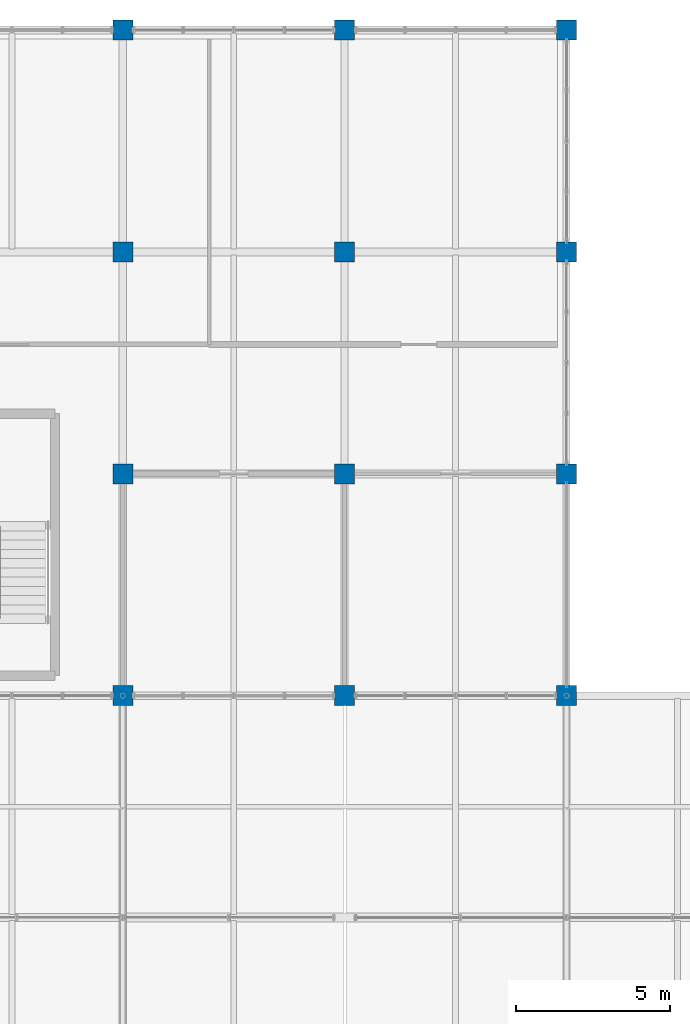
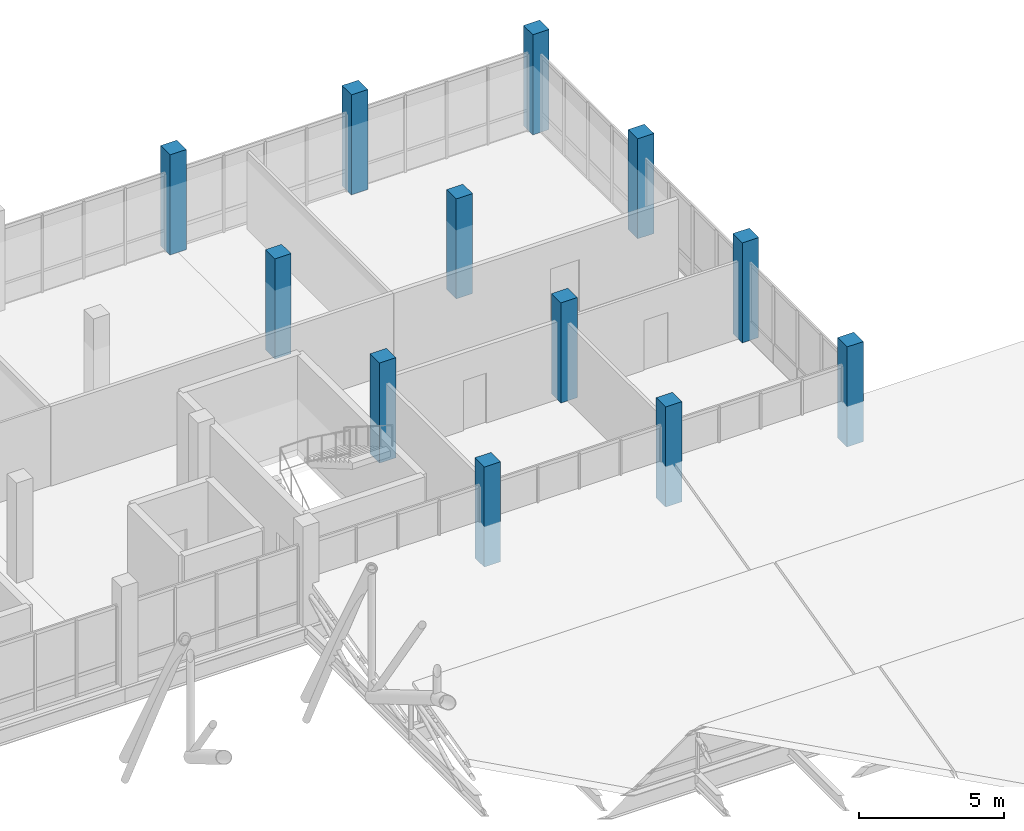
# One storey, part 9 of 144: 12 columns.
"""IFC4 building model written with IfcOpenShell, lengths in metres."""

import ifcopenshell
import ifcopenshell.guid

model = None  # the IFC model being written
_history = None  # IfcOwnerHistory: only IFC2X3 demands one
_inside = {}  # id of a spatial element -> (the spatial element, [elements in it])
_under = {}  # id of a project, library or spatial element -> (it, [spatial elements below it])
_declared = {}  # id of a project -> (the project, [libraries it declares])
_typed = {}  # id of a type object -> (the type object, [elements of that type])
_made_of = {}  # id of a material, layer set ... -> (it, [elements and type objects made of it])


def new_model(schema):
    """Start an empty IFC model of exactly this schema.

    Asked for "IFC4X3", IfcOpenShell would pick the latest addendum, in which some entities
    have other attributes; the version numbers below select the first issue.
    IFC2X3 requires an IfcOwnerHistory on every rooted entity: one is made here for all.
    """
    global model, _history
    if schema == "IFC4X3":
        model = ifcopenshell.file(schema_version=(4, 3, 0, 0))
    else:
        model = ifcopenshell.file(schema=schema)
    _inside.clear()
    _under.clear()
    _declared.clear()
    _typed.clear()
    _made_of.clear()
    _history = None
    if model.schema == "IFC2X3":
        org = make("IfcOrganization", Name="unknown")
        user = make(
            "IfcPersonAndOrganization",
            ThePerson=make("IfcPerson", FamilyName="unknown"),
            TheOrganization=org,
        )
        app = make(
            "IfcApplication",
            ApplicationDeveloper=org,
            Version="unknown",
            ApplicationFullName="unknown",
            ApplicationIdentifier="unknown",
        )
        _history = make(
            "IfcOwnerHistory",
            OwningUser=user,
            OwningApplication=app,
            ChangeAction="ADDED",
            CreationDate=0,
        )
    return model


def make(cls, **values):
    """One entity of the class cls with the attributes given. An attribute that is None is left unset."""
    return model.create_entity(
        cls, **{name: value for name, value in values.items() if value is not None}
    )


def rooted(cls, **values):
    """An entity with a GlobalId (a new one), such as an element, a storey or a relation."""
    return make(cls, GlobalId=ifcopenshell.guid.new(), OwnerHistory=_history, **values)


def si_unit(unit_type, name, prefix=None):
    """IfcSIUnit, for example si_unit("LENGTHUNIT", "METRE", prefix="MILLI")."""
    return make("IfcSIUnit", UnitType=unit_type, Prefix=prefix, Name=name)


def assignment(units):
    """IfcUnitAssignment: the units of a project."""
    return None if units is None else make("IfcUnitAssignment", Units=units)


def point(xyz):
    """IfcCartesianPoint."""
    return None if xyz is None else make("IfcCartesianPoint", Coordinates=xyz)


def direction(xyz):
    """IfcDirection."""
    return None if xyz is None else make("IfcDirection", DirectionRatios=xyz)


def frame(location, z_axis=None, x_axis=None):
    """IfcAxis2Placement3D, a coordinate frame: its origin and axes. An axis left out is left unset."""
    return make(
        "IfcAxis2Placement3D",
        Location=point(location),
        Axis=direction(z_axis),
        RefDirection=direction(x_axis),
    )


def frame_2d(location, x_axis=None):
    """IfcAxis2Placement2D, a coordinate frame in the plane: its origin and x axis."""
    return make(
        "IfcAxis2Placement2D", Location=point(location), RefDirection=direction(x_axis)
    )


def origin():
    """The frame at (0, 0, 0) with its axes left unset."""
    return frame((0.0, 0.0, 0.0))


def origin_2d():
    """The frame at (0, 0) in the plane with its x axis left unset."""
    return frame_2d((0.0, 0.0))


def place(relative_to, where):
    """IfcLocalPlacement: puts the frame where relative to a parent placement (None: the world)."""
    return make(
        "IfcLocalPlacement", PlacementRelTo=relative_to, RelativePlacement=where
    )


def context(
    kind, dimensions, precision=None, world=None, true_north=None, identifier=None
):
    """IfcGeometricRepresentationContext, for example the 3D "Model" context."""
    return make(
        "IfcGeometricRepresentationContext",
        ContextIdentifier=identifier,
        ContextType=kind,
        CoordinateSpaceDimension=dimensions,
        Precision=precision,
        WorldCoordinateSystem=world,
        TrueNorth=true_north,
    )


def subcontext(parent, identifier, kind, view, scale=None):
    """IfcGeometricRepresentationSubContext, for example "Body" below "Model"."""
    return make(
        "IfcGeometricRepresentationSubContext",
        ContextIdentifier=identifier,
        ContextType=kind,
        ParentContext=parent,
        TargetScale=scale,
        TargetView=view,
    )


def project(units=None, contexts=None):
    """IfcProject with its units and contexts."""
    return rooted(
        "IfcProject",
        Name="project",
        RepresentationContexts=contexts,
        UnitsInContext=assignment(units),
    )


def spatial(cls, under=None, at=None, **own):
    """A site, building, storey or space (cls), placed at a placement, below another one or the project."""
    s = rooted(cls, ObjectPlacement=at, **own)
    if under is not None:
        _under.setdefault(under.id(), (under, []))[1].append(s)
    return s


def profile(cls, at=None, kind="AREA", **sizes):
    """A parametric profile (cls). Its sizes go by their IFC names, for example OverallWidth=200.0."""
    return make(cls, ProfileType=kind, Position=at, **sizes)


def rectangle(**sizes):
    """IfcRectangleProfileDef."""
    return profile("IfcRectangleProfileDef", **sizes)


def extrude(swept, where, along, depth):
    """IfcExtrudedAreaSolid: the profile swept, set in the frame where, extruded along a direction by depth."""
    return make(
        "IfcExtrudedAreaSolid",
        SweptArea=swept,
        Position=where,
        ExtrudedDirection=direction(along),
        Depth=depth,
    )


def shape(context_of_items, identifier, shape_type, items):
    """IfcShapeRepresentation: the items that make up one representation, for example the "Body"."""
    return make(
        "IfcShapeRepresentation",
        ContextOfItems=context_of_items,
        RepresentationIdentifier=identifier,
        RepresentationType=shape_type,
        Items=items,
    )


def material(Name=None, Category=None):
    """IfcMaterial."""
    return make("IfcMaterial", Name=Name, Category=Category)


def material_profile(
    of_material, cross_section, Name=None, Category=None, Priority=None
):
    """IfcMaterialProfile: a cross section and its material."""
    return make(
        "IfcMaterialProfile",
        Name=Name,
        Material=of_material,
        Profile=cross_section,
        Priority=Priority,
        Category=Category,
    )


def profile_set(profiles, Name=None, composite=None):
    """IfcMaterialProfileSet."""
    return make(
        "IfcMaterialProfileSet",
        Name=Name,
        MaterialProfiles=profiles,
        CompositeProfile=composite,
    )


def made_of(thing, what):
    """Note that an element or type object is made of a material, layer set ...; save() writes the relation."""
    if what is not None:
        _made_of.setdefault(what.id(), (what, []))[1].append(thing)
    return thing


def type_object(cls, material=None, **own):
    """A type object (cls), such as IfcWallType, which elements share."""
    return made_of(rooted(cls, **own), material)


def element(
    cls,
    number,
    at=None,
    inside=None,
    cuts=None,
    type_object=None,
    material=None,
    context=None,
    identifier="Body",
    shape_type=None,
    held_by="IfcProductDefinitionShape",
    body=None,
    shapes=None,
    **own,
):
    """One element of the class cls, such as IfcWall. Its Tag is "e" and its number.

    at: its placement. inside: the storey or other place that contains it. cuts: it is an
    opening in that element (IfcRelVoidsElement). A single representation is given by context,
    identifier, shape_type and body (its items); several are given by shapes. held_by: the class
    of the entity that holds the representations. save() writes the other relations.
    """
    e = rooted(cls, Tag="e%d" % number, ObjectPlacement=at, **own)
    if body is not None:
        shapes = [shape(context, identifier, shape_type, body)]
    if shapes is not None:
        e.Representation = make(held_by, Representations=shapes)
    if inside is not None:
        _inside.setdefault(inside.id(), (inside, []))[1].append(e)
    if cuts is not None:
        rooted(
            "IfcRelVoidsElement", RelatingBuildingElement=cuts, RelatedOpeningElement=e
        )
    if type_object is not None:
        _typed.setdefault(type_object.id(), (type_object, []))[1].append(e)
    return made_of(e, material)


def aggregate(whole, parts):
    """IfcRelAggregates: a whole, such as a stair, and the parts it consists of."""
    return rooted("IfcRelAggregates", RelatingObject=whole, RelatedObjects=parts)


def save(model, path):
    """Write the relations noted so far, then the file.

    IfcRelAggregates (storeys below a building ...), IfcRelContainedInSpatialStructure (elements
    in a storey), IfcRelDefinesByType, IfcRelAssociatesMaterial and IfcRelDeclares: one each for
    every whole, place, type object, material and project.
    """
    for whole, parts in _under.values():
        aggregate(whole, parts)
    for where, things in _inside.values():
        rooted(
            "IfcRelContainedInSpatialStructure",
            RelatedElements=things,
            RelatingStructure=where,
        )
    for kind, things in _typed.values():
        rooted("IfcRelDefinesByType", RelatedObjects=things, RelatingType=kind)
    for what, things in _made_of.values():
        rooted("IfcRelAssociatesMaterial", RelatedObjects=things, RelatingMaterial=what)
    for by, libraries in _declared.values():
        rooted("IfcRelDeclares", RelatingContext=by, RelatedDefinitions=libraries)
    model.write(path)


model = new_model("IFC4")

# Units and contexts
model_context = context("Model", 3, precision=1e-05, world=origin(), true_north=direction((0.0, 1.0)))
body_context = subcontext(model_context, "Body", "Model", "MODEL_VIEW")
ifc_project = project(units=[si_unit("LENGTHUNIT", "METRE"), si_unit("AREAUNIT", "SQUARE_METRE"), si_unit("VOLUMEUNIT", "CUBIC_METRE"), si_unit("PLANEANGLEUNIT", "RADIAN"), si_unit("MASSUNIT", "GRAM", prefix="KILO")], contexts=[model_context])

# Site, building, storey
site_placement = place(None, origin())
site = spatial("IfcSite", under=ifc_project, at=site_placement, CompositionType="ELEMENT")
building_placement = place(site_placement, origin())
building = spatial("IfcBuilding", under=site, at=building_placement, Name="Yarey Park Central Fire Station", CompositionType="ELEMENT")
storey_placement = place(building_placement, frame((0.0, 0.0, 10.199951171875)))
storey = spatial("IfcBuildingStorey", under=building, at=storey_placement, Name="L03", CompositionType="ELEMENT", Elevation=10.199951171875)

# Columns
ifc_material = material(Name="Concrete C40/50", Category="concrete")
ifc_material_profile_1 = material_profile(ifc_material, rectangle(XDim=0.64990234375, YDim=0.64990234375, at=origin_2d()), Name="RC 650x650")
ifc_profile_set_1 = profile_set([ifc_material_profile_1], Name="Concrete C40/50")
column_type_1 = type_object("IfcColumnType", Name="STR_COL_RC650_EXT", PredefinedType="COLUMN", material=ifc_profile_set_1)
for number, where, z_axis, x_axis, name in (
    (1, (144.0, 93.60009765625, 0.0), (0.0, 0.0, 1.0), (1.0, 0.0, 0.0), "COL_L03_X1440_Y936"),
    (2, (144.0, 115.199951171875, 0.0), (0.0, 0.0, 1.0), (1.0, 0.0, 0.0), "COL_L03_X1440_Y1152"),
    (3, (151.199951171875, 93.60009765625, 0.0), (0.0, 0.0, 1.0), (1.0, 0.0, 0.0), "COL_L03_X1512_Y936"),
    (4, (151.199951171875, 115.199951171875, 0.0), (0.0, 0.0, 1.0), (1.0, 0.0, 0.0), "COL_L03_X1512_Y1152"),
    (5, (158.39990234375, 93.60009765625, 0.0), (0.0, 0.0, 1.0), (1.0, 0.0, 0.0), "COL_L03_X1584_Y936"),
    (6, (158.39990234375, 100.800048828125, 0.0), (0.0, 0.0, 1.0), (1.0, 0.0, 0.0), "COL_L03_X1584_Y1008"),
    (7, (158.39990234375, 108.0, 0.0), (0.0, 0.0, 1.0), (1.0, 0.0, 0.0), "COL_L03_X1584_Y1080"),
    (8, (158.39990234375, 115.199951171875, 0.0), (0.0, 0.0, 1.0), (1.0, 0.0, 0.0), "COL_L03_X1584_Y1152"),
):
    element("IfcColumn", number, at=place(storey_placement, frame(where, z_axis=z_axis, x_axis=x_axis)), inside=storey, type_object=column_type_1, Name=name, PredefinedType="COLUMN", context=body_context, shape_type="SweptSolid", body=[
        extrude(rectangle(XDim=0.64990234375, YDim=0.64990234375, at=origin_2d()), origin(), (0.0, 0.0, 1.0), 4.199951171875),
    ])
ifc_material_profile_2 = material_profile(ifc_material, rectangle(XDim=0.64990234375, YDim=0.64990234375, at=origin_2d()), Name="RC 650x650")
ifc_profile_set_2 = profile_set([ifc_material_profile_2], Name="Concrete C40/50")
column_type_2 = type_object("IfcColumnType", Name="STR_COL_RC650_INT", PredefinedType="COLUMN", material=ifc_profile_set_2)
for number, where, z_axis, x_axis, name in (
    (9, (144.0, 100.800048828125, 0.0), (0.0, 0.0, 1.0), (1.0, 0.0, 0.0), "COL_L03_X1440_Y1008"),
    (10, (144.0, 108.0, 0.0), (0.0, 0.0, 1.0), (1.0, 0.0, 0.0), "COL_L03_X1440_Y1080"),
    (11, (151.199951171875, 100.800048828125, 0.0), (0.0, 0.0, 1.0), (1.0, 0.0, 0.0), "COL_L03_X1512_Y1008"),
    (12, (151.199951171875, 108.0, 0.0), (0.0, 0.0, 1.0), (1.0, 0.0, 0.0), "COL_L03_X1512_Y1080"),
):
    element("IfcColumn", number, at=place(storey_placement, frame(where, z_axis=z_axis, x_axis=x_axis)), inside=storey, type_object=column_type_2, Name=name, PredefinedType="COLUMN", context=body_context, shape_type="SweptSolid", body=[
        extrude(rectangle(XDim=0.64990234375, YDim=0.64990234375, at=origin_2d()), origin(), (0.0, 0.0, 1.0), 4.199951171875),
    ])

save(model, "model.ifc")
